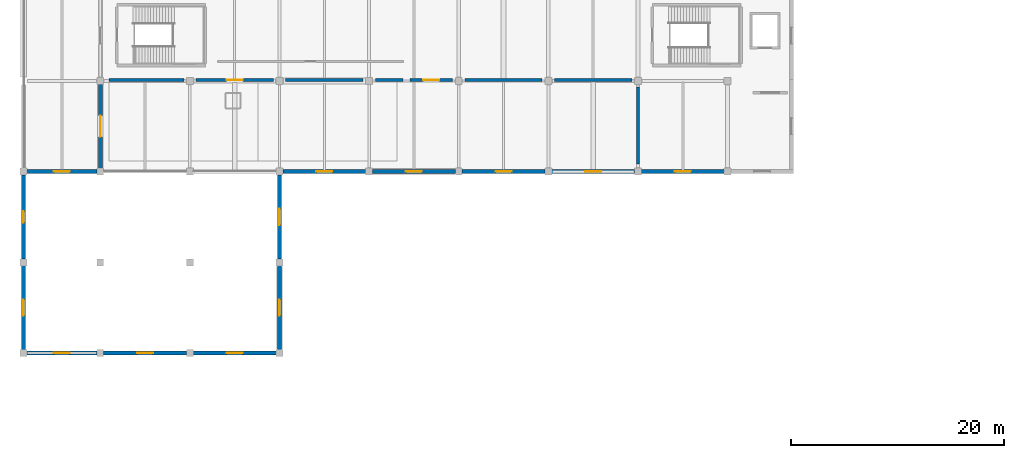
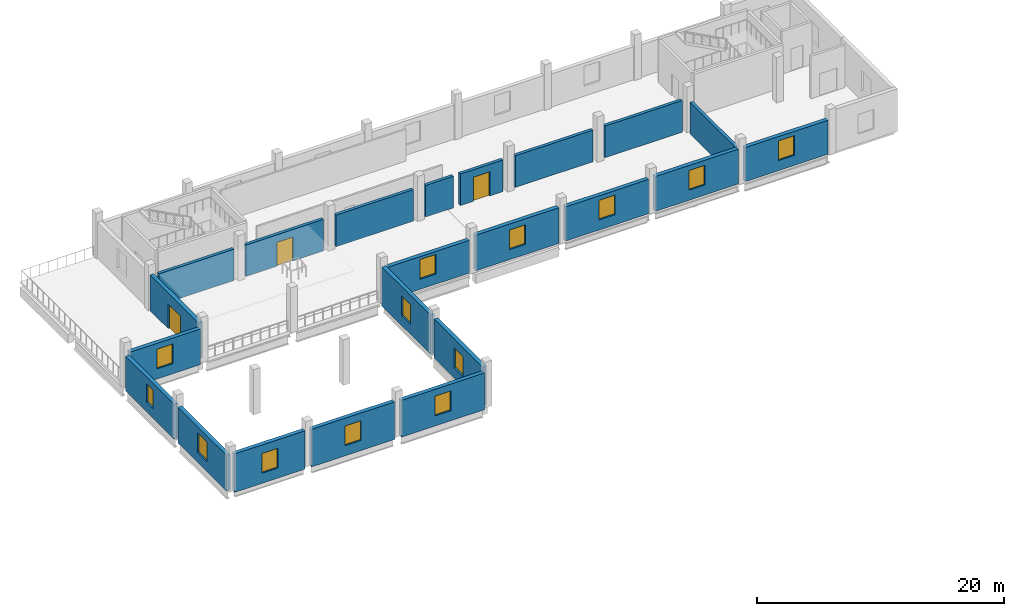
# One storey, part 37 of 50: 22 walls, 13 windows, 3 doors, 16 openings.
"""IFC4 building model written with IfcOpenShell, lengths in metres."""

from ifc_helpers import new_model, si_unit, direction, frame, frame_2d, origin, place, context, subcontext, project, spatial, rectangle, extrude, material, layer, layer_set, type_object, element, fill, save


model = new_model("IFC4")

# Units and contexts
model_context = context("Model", 3, precision=1e-05, world=origin(), true_north=direction((0.0, 1.0)))
body_context = subcontext(model_context, "Body", "Model", "MODEL_VIEW")
ifc_project = project(units=[si_unit("LENGTHUNIT", "METRE"), si_unit("AREAUNIT", "SQUARE_METRE"), si_unit("VOLUMEUNIT", "CUBIC_METRE"), si_unit("PLANEANGLEUNIT", "RADIAN"), si_unit("MASSUNIT", "GRAM", prefix="KILO")], contexts=[model_context])

# Site, building, storey
site_placement = place(None, origin())
site = spatial("IfcSite", under=ifc_project, at=site_placement, CompositionType="ELEMENT")
building_placement = place(site_placement, origin())
building = spatial("IfcBuilding", under=site, at=building_placement, Name="Solvento Point Concert Hall", CompositionType="ELEMENT")
storey_placement = place(building_placement, frame((0.0, 0.0, 15.0)))
storey = spatial("IfcBuildingStorey", under=building, at=storey_placement, Name="L03", CompositionType="ELEMENT", Elevation=15.0)

# Wall
ifc_material_1 = material(Name="Acoustic Double-Stud Gypsum Partition")
ifc_layer_1 = layer(ifc_material_1, 0.284912109375)
ifc_layer_set_1 = layer_set([ifc_layer_1], Name="Acoustic Double-Stud Gypsum Partition")
wall_type_1 = type_object("IfcWallType", Name="AcousticPartition_285", PredefinedType="PARTITIONING", material=ifc_layer_set_1)
wall_1_placement = place(storey_placement, frame((8.02001953125, 127.580078125, 0.0), z_axis=(0.0, 0.0, 1.0), x_axis=(1.0, 0.0, 0.0)))
element("IfcWall", 1, at=wall_1_placement, inside=storey, type_object=wall_type_1, Name="Interior acoustic partition PW-88 L03", PredefinedType="PARTITIONING", context=body_context, shape_type="SweptSolid", body=[
    extrude(rectangle(XDim=7.0048828125, YDim=0.284912109375, at=frame_2d((3.50244140625, 0.0))), origin(), (0.0, 0.0, 1.0), 3.117919921875),
])

# Wall, opening, door
wall_2_placement = place(storey_placement, frame((16.175048828125, 127.580078125, 0.0), z_axis=(0.0, 0.0, 1.0), x_axis=(1.0, 0.0, 0.0)))
wall_2 = element("IfcWall", 2, at=wall_2_placement, inside=storey, type_object=wall_type_1, Name="Interior acoustic partition PW-88 L03", PredefinedType="PARTITIONING", context=body_context, shape_type="SweptSolid", body=[
    extrude(rectangle(XDim=7.25, YDim=0.284912109375, at=frame_2d((3.625, 0.0))), origin(), (0.0, 0.0, 1.0), 3.1298828125),
])
opening_1_placement = place(wall_2_placement, frame((2.864990234375, 0.0, 0.0)))
opening_1 = element("IfcOpeningElement", 3, at=opening_1_placement, cuts=wall_2, Name="Opening DR-87", PredefinedType="OPENING", context=body_context, shape_type="SweptSolid", body=[
    extrude(rectangle(XDim=1.52001953125, YDim=2.3798828125, at=frame_2d((0.760009765625, 1.18994140625))), frame((0.0, 0.15234375, 0.0), z_axis=(0.0, -1.0, 0.0), x_axis=(1.0, 0.0, 0.0)), (0.0, 0.0, 1.0), 0.304931640625),
])
ifc_material_2 = material(Name="Brazilian Hardwood Acoustic Door", Category="wood")
door_type_1 = type_object("IfcDoorType", Name="IntDoor_RecordingSTC58", OperationType="NOTDEFINED", PredefinedType="DOOR", material=ifc_material_2)
door_1_placement = place(opening_1_placement, origin())
door_1 = element("IfcDoor", 4, at=door_1_placement, inside=storey, type_object=door_type_1, Name="Interior door DR-87 L03", OperationType="SINGLE_SWING_RIGHT", OverallHeight=2.3798828125, OverallWidth=1.52001953125, PredefinedType="DOOR", context=body_context, shape_type="SweptSolid", body=[
    extrude(rectangle(XDim=1.52001953125, YDim=2.3798828125, at=frame_2d((0.760009765625, 1.18994140625))), frame((0.0, 0.02490234375, 0.0), z_axis=(0.0, -1.0, 0.0), x_axis=(1.0, 0.0, 0.0)), (0.0, 0.0, 1.0), 0.050048828125),
])
fill(opening_1, door_1)

# Walls
wall_3_placement = place(storey_placement, frame((24.574951171875, 127.580078125, 0.0), z_axis=(0.0, 0.0, 1.0), x_axis=(1.0, 0.0, 0.0)))
element("IfcWall", 5, at=wall_3_placement, inside=storey, type_object=wall_type_1, Name="Interior acoustic partition PW-88 L03", PredefinedType="PARTITIONING", context=body_context, shape_type="SweptSolid", body=[
    extrude(rectangle(XDim=7.25, YDim=0.284912109375, at=frame_2d((3.625, 0.0))), origin(), (0.0, 0.0, 1.0), 3.1298828125),
])
wall_4_placement = place(storey_placement, frame((32.97509765625, 127.580078125, 0.0), z_axis=(0.0, 0.0, 1.0), x_axis=(1.0, 0.0, 0.0)))
element("IfcWall", 6, at=wall_4_placement, inside=storey, type_object=wall_type_1, Name="Interior acoustic partition PW-88 L03", PredefinedType="PARTITIONING", context=body_context, shape_type="SweptSolid", body=[
    extrude(rectangle(XDim=2.60498046875, YDim=0.284912109375, at=frame_2d((1.302490234375, 0.0))), origin(), (0.0, 0.0, 1.0), 3.1298828125),
])

# Wall, opening, door
wall_5_placement = place(storey_placement, frame((36.219970703125, 127.580078125, 0.0), z_axis=(0.0, 0.0, 1.0), x_axis=(1.0, 0.0, 0.0)))
wall_5 = element("IfcWall", 7, at=wall_5_placement, inside=storey, type_object=wall_type_1, Name="Interior acoustic partition PW-88 L03", PredefinedType="PARTITIONING", context=body_context, shape_type="SweptSolid", body=[
    extrude(rectangle(XDim=4.005126953125, YDim=0.284912109375, at=frame_2d((2.00244140625, 0.0))), origin(), (0.0, 0.0, 1.0), 3.1298828125),
])
opening_2_placement = place(wall_5_placement, frame((1.242431640625, 0.0, 0.0)))
opening_2 = element("IfcOpeningElement", 8, at=opening_2_placement, cuts=wall_5, Name="Opening DR-87", PredefinedType="OPENING", context=body_context, shape_type="SweptSolid", body=[
    extrude(rectangle(XDim=1.52001953125, YDim=2.3798828125, at=frame_2d((0.760009765625, 1.18994140625))), frame((0.0, 0.15234375, 0.0), z_axis=(0.0, -1.0, 0.0), x_axis=(1.0, 0.0, 0.0)), (0.0, 0.0, 1.0), 0.304931640625),
])
door_2_placement = place(opening_2_placement, origin())
door_2 = element("IfcDoor", 9, at=door_2_placement, inside=storey, type_object=door_type_1, Name="Interior door DR-87 L03", OperationType="SINGLE_SWING_LEFT", OverallHeight=2.3798828125, OverallWidth=1.52001953125, PredefinedType="DOOR", context=body_context, shape_type="SweptSolid", body=[
    extrude(rectangle(XDim=1.52001953125, YDim=2.3798828125, at=frame_2d((0.760009765625, 1.18994140625))), frame((0.0, 0.02490234375, 0.0), z_axis=(0.0, -1.0, 0.0), x_axis=(1.0, 0.0, 0.0)), (0.0, 0.0, 1.0), 0.050048828125),
])
fill(opening_2, door_2)

# Walls
for number, where, z_axis, x_axis, name in (
    (10, (41.375, 127.580078125, 0.0), (0.0, 0.0, 1.0), (1.0, 0.0, 0.0), "Interior acoustic partition PW-88 L03"),
    (11, (49.77490234375, 127.580078125, 0.0), (0.0, 0.0, 1.0), (1.0, 0.0, 0.0), "Interior acoustic partition PW-88 L03"),
):
    element("IfcWall", number, at=place(storey_placement, frame(where, z_axis=z_axis, x_axis=x_axis)), inside=storey, type_object=wall_type_1, Name=name, PredefinedType="PARTITIONING", context=body_context, shape_type="SweptSolid", body=[
        extrude(rectangle(XDim=7.25, YDim=0.284912109375, at=frame_2d((3.625, 0.0))), origin(), (0.0, 0.0, 1.0), 3.1298828125),
    ])
wall_6_placement = place(storey_placement, frame((57.580078125, 126.925048828125, 0.0), z_axis=(0.0, 0.0, 1.0), x_axis=(0.0, -1.0, 0.0)))
element("IfcWall", 12, at=wall_6_placement, inside=storey, type_object=wall_type_1, Name="Interior acoustic partition PW-88 L03", PredefinedType="PARTITIONING", context=body_context, shape_type="SweptSolid", body=[
    extrude(rectangle(XDim=7.22509765625, YDim=0.284912109375, at=frame_2d((3.612548828125, 0.0))), origin(), (0.0, 0.0, 1.0), 3.117919921875),
])

# Wall, opening, window
ifc_material_3 = material(Name="Concrete C40/50", Category="concrete")
ifc_layer_2 = layer(ifc_material_3, 0.3701171875)
ifc_layer_set_2 = layer_set([ifc_layer_2], Name="Concrete C40/50")
wall_type_2 = type_object("IfcWallType", Name="ExtWall_V4_Reh_370", PredefinedType="SOLIDWALL", material=ifc_layer_set_2)
wall_7_placement = place(storey_placement, frame((0.304931640625, 119.0, -0.2490234375), z_axis=(0.0, 0.0, 1.0), x_axis=(1.0, 0.0, 0.0)))
wall_7 = element("IfcWall", 13, at=wall_7_placement, inside=storey, type_object=wall_type_2, Name="Exterior architectural concrete wall EW-85 L03", PredefinedType="SOLIDWALL", context=body_context, shape_type="SweptSolid", body=[
    extrude(rectangle(XDim=6.590087890625, YDim=0.3701171875, at=frame_2d((3.294921875, 0.0))), origin(), (0.0, 0.0, 1.0), 3.533935546875),
])
opening_3_placement = place(wall_7_placement, frame((2.544921875, 0.0, 1.0)))
opening_3 = element("IfcOpeningElement", 14, at=opening_3_placement, cuts=wall_7, Name="Opening WN-71", PredefinedType="OPENING", context=body_context, shape_type="SweptSolid", body=[
    extrude(rectangle(XDim=1.5, YDim=1.949951171875, at=frame_2d((0.75, 0.97509765625))), frame((0.0, 0.195068359375, 0.0), z_axis=(0.0, -1.0, 0.0), x_axis=(1.0, 0.0, 0.0)), (0.0, 0.0, 1.0), 0.39013671875),
])
ifc_material_4 = material(Name="Hurricane Laminated Low-E Glass", Category="glass")
window_type_1 = type_object("IfcWindowType", Name="Win_V4_Recording_L03", PartitioningType="SINGLE_PANEL", PredefinedType="WINDOW", material=ifc_material_4)
window_1_placement = place(opening_3_placement, origin())
window_1 = element("IfcWindow", 15, at=window_1_placement, inside=storey, type_object=window_type_1, Name="Impact acoustic window WN-71", OverallHeight=1.949951171875, OverallWidth=1.5, PartitioningType="SINGLE_PANEL", PredefinedType="WINDOW", context=body_context, shape_type="SweptSolid", body=[
    extrude(rectangle(XDim=1.5, YDim=1.949951171875, at=frame_2d((0.75, 0.97509765625))), frame((0.0, 0.030029296875, 0.0), z_axis=(0.0, -1.0, 0.0), x_axis=(1.0, 0.0, 0.0)), (0.0, 0.0, 1.0), 0.06005859375),
])
fill(opening_3, window_1)

# Wall, opening, door
wall_8_placement = place(storey_placement, frame((7.199951171875, 119.304931640625, 0.0), z_axis=(0.0, 0.0, 1.0), x_axis=(0.0, 1.0, 0.0)))
wall_8 = element("IfcWall", 16, at=wall_8_placement, inside=storey, type_object=wall_type_2, Name="Exterior architectural concrete wall EW-85 L03", PredefinedType="SOLIDWALL", context=body_context, shape_type="SweptSolid", body=[
    extrude(rectangle(XDim=7.89013671875, YDim=0.3701171875, at=frame_2d((3.945068359375, 0.0))), origin(), (0.0, 0.0, 1.0), 3.535888671875),
])
opening_4_placement = place(wall_8_placement, frame((2.945068359375, 0.0, 0.0)))
opening_4 = element("IfcOpeningElement", 17, at=opening_4_placement, cuts=wall_8, Name="Opening TD-03", PredefinedType="OPENING", context=body_context, shape_type="SweptSolid", body=[
    extrude(rectangle(XDim=2.0, YDim=2.419921875, at=frame_2d((1.0, 1.2099609375))), frame((0.0, 0.195068359375, 0.0), z_axis=(0.0, -1.0, 0.0), x_axis=(1.0, 0.0, 0.0)), (0.0, 0.0, 1.0), 0.39013671875),
])
ifc_material_5 = material(Name="Anodized Bronze Aluminium", Category="aluminium")
door_type_2 = type_object("IfcDoorType", Name="TerraceDoor_TD-03", OperationType="NOTDEFINED", PredefinedType="DOOR", material=ifc_material_5)
door_3_placement = place(opening_4_placement, origin())
door_3 = element("IfcDoor", 18, at=door_3_placement, inside=storey, type_object=door_type_2, Name="Exterior terrace access glazed door TD-03", OperationType="SINGLE_SWING_RIGHT", OverallHeight=2.419921875, OverallWidth=2.0, PredefinedType="DOOR", context=body_context, shape_type="SweptSolid", body=[
    extrude(rectangle(XDim=2.0, YDim=2.419921875, at=frame_2d((1.0, 1.2099609375))), frame((0.0, 0.02490234375, 0.0), z_axis=(0.0, -1.0, 0.0), x_axis=(1.0, 0.0, 0.0)), (0.0, 0.0, 1.0), 0.050048828125),
])
fill(opening_4, door_3)

# Wall, opening, window
wall_9_placement = place(storey_placement, frame((32.094970703125, 119.0, 0.0), z_axis=(0.0, 0.0, 1.0), x_axis=(-1.0, 0.0, 0.0)))
wall_9 = element("IfcWall", 19, at=wall_9_placement, inside=storey, type_object=wall_type_2, Name="Exterior architectural concrete wall EW-85 L03", PredefinedType="SOLIDWALL", context=body_context, shape_type="SweptSolid", body=[
    extrude(rectangle(XDim=7.7900390625, YDim=0.3701171875, at=frame_2d((3.89501953125, 0.0))), origin(), (0.0, 0.0, 1.0), 3.243896484375),
])
opening_5_placement = place(wall_9_placement, frame((3.14501953125, 0.0, 1.0)))
opening_5 = element("IfcOpeningElement", 20, at=opening_5_placement, cuts=wall_9, Name="Opening WN-71", PredefinedType="OPENING", context=body_context, shape_type="SweptSolid", body=[
    extrude(rectangle(XDim=1.5, YDim=1.949951171875, at=frame_2d((0.75, 0.97509765625))), frame((0.0, 0.195068359375, 0.0), z_axis=(0.0, -1.0, 0.0), x_axis=(1.0, 0.0, 0.0)), (0.0, 0.0, 1.0), 0.39013671875),
])
window_2_placement = place(opening_5_placement, origin())
window_2 = element("IfcWindow", 21, at=window_2_placement, inside=storey, type_object=window_type_1, Name="Impact acoustic window WN-71", OverallHeight=1.949951171875, OverallWidth=1.5, PartitioningType="SINGLE_PANEL", PredefinedType="WINDOW", context=body_context, shape_type="SweptSolid", body=[
    extrude(rectangle(XDim=1.5, YDim=1.949951171875, at=frame_2d((0.75, 0.97509765625))), frame((0.0, 0.030029296875, 0.0), z_axis=(0.0, -1.0, 0.0), x_axis=(1.0, 0.0, 0.0)), (0.0, 0.0, 1.0), 0.06005859375),
])
fill(opening_5, window_2)

wall_10_placement = place(storey_placement, frame((40.4951171875, 119.0, 0.0), z_axis=(0.0, 0.0, 1.0), x_axis=(-1.0, 0.0, 0.0)))
wall_10 = element("IfcWall", 22, at=wall_10_placement, inside=storey, type_object=wall_type_2, Name="Exterior architectural concrete wall EW-85 L03", PredefinedType="SOLIDWALL", context=body_context, shape_type="SweptSolid", body=[
    extrude(rectangle(XDim=7.7900390625, YDim=0.3701171875, at=frame_2d((3.89501953125, 0.0))), origin(), (0.0, 0.0, 1.0), 3.535888671875),
])
opening_6_placement = place(wall_10_placement, frame((3.14501953125, 0.0, 1.0)))
opening_6 = element("IfcOpeningElement", 23, at=opening_6_placement, cuts=wall_10, Name="Opening WN-71", PredefinedType="OPENING", context=body_context, shape_type="SweptSolid", body=[
    extrude(rectangle(XDim=1.5, YDim=1.949951171875, at=frame_2d((0.75, 0.97509765625))), frame((0.0, 0.195068359375, 0.0), z_axis=(0.0, -1.0, 0.0), x_axis=(1.0, 0.0, 0.0)), (0.0, 0.0, 1.0), 0.39013671875),
])
window_3_placement = place(opening_6_placement, origin())
window_3 = element("IfcWindow", 24, at=window_3_placement, inside=storey, type_object=window_type_1, Name="Impact acoustic window WN-71", OverallHeight=1.949951171875, OverallWidth=1.5, PartitioningType="SINGLE_PANEL", PredefinedType="WINDOW", context=body_context, shape_type="SweptSolid", body=[
    extrude(rectangle(XDim=1.5, YDim=1.949951171875, at=frame_2d((0.75, 0.97509765625))), frame((0.0, 0.030029296875, 0.0), z_axis=(0.0, -1.0, 0.0), x_axis=(1.0, 0.0, 0.0)), (0.0, 0.0, 1.0), 0.06005859375),
])
fill(opening_6, window_3)

wall_11_placement = place(storey_placement, frame((48.89501953125, 119.0, 0.0), z_axis=(0.0, 0.0, 1.0), x_axis=(-1.0, 0.0, 0.0)))
wall_11 = element("IfcWall", 25, at=wall_11_placement, inside=storey, type_object=wall_type_2, Name="Exterior architectural concrete wall EW-85 L03", PredefinedType="SOLIDWALL", context=body_context, shape_type="SweptSolid", body=[
    extrude(rectangle(XDim=7.7900390625, YDim=0.3701171875, at=frame_2d((3.89501953125, 0.0))), origin(), (0.0, 0.0, 1.0), 3.39404296875),
])
opening_7_placement = place(wall_11_placement, frame((3.14501953125, 0.0, 1.0)))
opening_7 = element("IfcOpeningElement", 26, at=opening_7_placement, cuts=wall_11, Name="Opening WN-71", PredefinedType="OPENING", context=body_context, shape_type="SweptSolid", body=[
    extrude(rectangle(XDim=1.5, YDim=1.949951171875, at=frame_2d((0.75, 0.97509765625))), frame((0.0, 0.195068359375, 0.0), z_axis=(0.0, -1.0, 0.0), x_axis=(1.0, 0.0, 0.0)), (0.0, 0.0, 1.0), 0.39013671875),
])
window_4_placement = place(opening_7_placement, origin())
window_4 = element("IfcWindow", 27, at=window_4_placement, inside=storey, type_object=window_type_1, Name="Impact acoustic window WN-71", OverallHeight=1.949951171875, OverallWidth=1.5, PartitioningType="SINGLE_PANEL", PredefinedType="WINDOW", context=body_context, shape_type="SweptSolid", body=[
    extrude(rectangle(XDim=1.5, YDim=1.949951171875, at=frame_2d((0.75, 0.97509765625))), frame((0.0, 0.030029296875, 0.0), z_axis=(0.0, -1.0, 0.0), x_axis=(1.0, 0.0, 0.0)), (0.0, 0.0, 1.0), 0.06005859375),
])
fill(opening_7, window_4)

wall_12_placement = place(storey_placement, frame((57.294921875, 119.0, 0.0), z_axis=(0.0, 0.0, 1.0), x_axis=(-1.0, 0.0, 0.0)))
wall_12 = element("IfcWall", 28, at=wall_12_placement, inside=storey, type_object=wall_type_2, Name="Exterior architectural concrete wall EW-85 L03", PredefinedType="SOLIDWALL", context=body_context, shape_type="SweptSolid", body=[
    extrude(rectangle(XDim=7.7900390625, YDim=0.3701171875, at=frame_2d((3.89501953125, 0.0))), origin(), (0.0, 0.0, 1.0), 3.450927734375),
])
opening_8_placement = place(wall_12_placement, frame((3.14501953125, 0.0, 1.0)))
opening_8 = element("IfcOpeningElement", 29, at=opening_8_placement, cuts=wall_12, Name="Opening WN-71", PredefinedType="OPENING", context=body_context, shape_type="SweptSolid", body=[
    extrude(rectangle(XDim=1.5, YDim=1.949951171875, at=frame_2d((0.75, 0.97509765625))), frame((0.0, 0.195068359375, 0.0), z_axis=(0.0, -1.0, 0.0), x_axis=(1.0, 0.0, 0.0)), (0.0, 0.0, 1.0), 0.39013671875),
])
window_5_placement = place(opening_8_placement, origin())
window_5 = element("IfcWindow", 30, at=window_5_placement, inside=storey, type_object=window_type_1, Name="Impact acoustic window WN-71", OverallHeight=1.949951171875, OverallWidth=1.5, PartitioningType="SINGLE_PANEL", PredefinedType="WINDOW", context=body_context, shape_type="SweptSolid", body=[
    extrude(rectangle(XDim=1.5, YDim=1.949951171875, at=frame_2d((0.75, 0.97509765625))), frame((0.0, 0.030029296875, 0.0), z_axis=(0.0, -1.0, 0.0), x_axis=(1.0, 0.0, 0.0)), (0.0, 0.0, 1.0), 0.06005859375),
])
fill(opening_8, window_5)

wall_13_placement = place(storey_placement, frame((65.695068359375, 119.0, 0.0), z_axis=(0.0, 0.0, 1.0), x_axis=(-1.0, 0.0, 0.0)))
wall_13 = element("IfcWall", 31, at=wall_13_placement, inside=storey, type_object=wall_type_2, Name="Exterior architectural concrete wall EW-85 L03", PredefinedType="SOLIDWALL", context=body_context, shape_type="SweptSolid", body=[
    extrude(rectangle(XDim=7.7900390625, YDim=0.3701171875, at=frame_2d((3.89501953125, 0.0))), origin(), (0.0, 0.0, 1.0), 3.3740234375),
])
opening_9_placement = place(wall_13_placement, frame((3.14501953125, 0.0, 1.0)))
opening_9 = element("IfcOpeningElement", 32, at=opening_9_placement, cuts=wall_13, Name="Opening WN-71", PredefinedType="OPENING", context=body_context, shape_type="SweptSolid", body=[
    extrude(rectangle(XDim=1.5, YDim=1.949951171875, at=frame_2d((0.75, 0.97509765625))), frame((0.0, 0.195068359375, 0.0), z_axis=(0.0, -1.0, 0.0), x_axis=(1.0, 0.0, 0.0)), (0.0, 0.0, 1.0), 0.39013671875),
])
window_6_placement = place(opening_9_placement, origin())
window_6 = element("IfcWindow", 33, at=window_6_placement, inside=storey, type_object=window_type_1, Name="Impact acoustic window WN-71", OverallHeight=1.949951171875, OverallWidth=1.5, PartitioningType="SINGLE_PANEL", PredefinedType="WINDOW", context=body_context, shape_type="SweptSolid", body=[
    extrude(rectangle(XDim=1.5, YDim=1.949951171875, at=frame_2d((0.75, 0.97509765625))), frame((0.0, 0.030029296875, 0.0), z_axis=(0.0, -1.0, 0.0), x_axis=(1.0, 0.0, 0.0)), (0.0, 0.0, 1.0), 0.06005859375),
])
fill(opening_9, window_6)

wall_14_placement = place(storey_placement, frame((24.0, 110.195068359375, -0.27294921875), z_axis=(0.0, 0.0, 1.0), x_axis=(0.0, -1.0, 0.0)))
wall_14 = element("IfcWall", 34, at=wall_14_placement, inside=storey, type_object=wall_type_2, Name="Exterior architectural concrete wall EW-85 L03", PredefinedType="SOLIDWALL", context=body_context, shape_type="SweptSolid", body=[
    extrude(rectangle(XDim=7.89013671875, YDim=0.3701171875, at=frame_2d((3.945068359375, 0.0))), origin(), (0.0, 0.0, 1.0), 3.85888671875),
])
opening_10_placement = place(wall_14_placement, frame((3.195068359375, 0.0, 1.0)))
opening_10 = element("IfcOpeningElement", 35, at=opening_10_placement, cuts=wall_14, Name="Opening WN-71", PredefinedType="OPENING", context=body_context, shape_type="SweptSolid", body=[
    extrude(rectangle(XDim=1.5, YDim=1.949951171875, at=frame_2d((0.75, 0.97509765625))), frame((0.0, 0.195068359375, 0.0), z_axis=(0.0, -1.0, 0.0), x_axis=(1.0, 0.0, 0.0)), (0.0, 0.0, 1.0), 0.39013671875),
])
window_7_placement = place(opening_10_placement, origin())
window_7 = element("IfcWindow", 36, at=window_7_placement, inside=storey, type_object=window_type_1, Name="Impact acoustic window WN-71", OverallHeight=1.949951171875, OverallWidth=1.5, PartitioningType="SINGLE_PANEL", PredefinedType="WINDOW", context=body_context, shape_type="SweptSolid", body=[
    extrude(rectangle(XDim=1.5, YDim=1.949951171875, at=frame_2d((0.75, 0.97509765625))), frame((0.0, 0.030029296875, 0.0), z_axis=(0.0, -1.0, 0.0), x_axis=(1.0, 0.0, 0.0)), (0.0, 0.0, 1.0), 0.06005859375),
])
fill(opening_10, window_7)

wall_15_placement = place(storey_placement, frame((24.0, 118.695068359375, -0.27294921875), z_axis=(0.0, 0.0, 1.0), x_axis=(0.0, -1.0, 0.0)))
wall_15 = element("IfcWall", 37, at=wall_15_placement, inside=storey, type_object=wall_type_2, Name="Exterior architectural concrete wall EW-85 L03", PredefinedType="SOLIDWALL", context=body_context, shape_type="SweptSolid", body=[
    extrude(rectangle(XDim=7.89013671875, YDim=0.3701171875, at=frame_2d((3.945068359375, 0.0))), origin(), (0.0, 0.0, 1.0), 3.867919921875),
])
opening_11_placement = place(wall_15_placement, frame((3.195068359375, 0.0, 1.0)))
opening_11 = element("IfcOpeningElement", 38, at=opening_11_placement, cuts=wall_15, Name="Opening WN-71", PredefinedType="OPENING", context=body_context, shape_type="SweptSolid", body=[
    extrude(rectangle(XDim=1.5, YDim=1.949951171875, at=frame_2d((0.75, 0.97509765625))), frame((0.0, 0.195068359375, 0.0), z_axis=(0.0, -1.0, 0.0), x_axis=(1.0, 0.0, 0.0)), (0.0, 0.0, 1.0), 0.39013671875),
])
window_8_placement = place(opening_11_placement, origin())
window_8 = element("IfcWindow", 39, at=window_8_placement, inside=storey, type_object=window_type_1, Name="Impact acoustic window WN-71", OverallHeight=1.949951171875, OverallWidth=1.5, PartitioningType="SINGLE_PANEL", PredefinedType="WINDOW", context=body_context, shape_type="SweptSolid", body=[
    extrude(rectangle(XDim=1.5, YDim=1.949951171875, at=frame_2d((0.75, 0.97509765625))), frame((0.0, 0.030029296875, 0.0), z_axis=(0.0, -1.0, 0.0), x_axis=(1.0, 0.0, 0.0)), (0.0, 0.0, 1.0), 0.06005859375),
])
fill(opening_11, window_8)

wall_16_placement = place(storey_placement, frame((6.89501953125, 102.0, -0.27294921875), z_axis=(0.0, 0.0, 1.0), x_axis=(-1.0, 0.0, 0.0)))
wall_16 = element("IfcWall", 40, at=wall_16_placement, inside=storey, type_object=wall_type_2, Name="Exterior architectural concrete wall EW-85 L03", PredefinedType="SOLIDWALL", context=body_context, shape_type="SweptSolid", body=[
    extrude(rectangle(XDim=6.590087890625, YDim=0.3701171875, at=frame_2d((3.294921875, 0.0))), origin(), (0.0, 0.0, 1.0), 3.798828125),
])
opening_12_placement = place(wall_16_placement, frame((2.544921875, 0.0, 1.0)))
opening_12 = element("IfcOpeningElement", 41, at=opening_12_placement, cuts=wall_16, Name="Opening WN-71", PredefinedType="OPENING", context=body_context, shape_type="SweptSolid", body=[
    extrude(rectangle(XDim=1.5, YDim=1.949951171875, at=frame_2d((0.75, 0.97509765625))), frame((0.0, 0.195068359375, 0.0), z_axis=(0.0, -1.0, 0.0), x_axis=(1.0, 0.0, 0.0)), (0.0, 0.0, 1.0), 0.39013671875),
])
window_9_placement = place(opening_12_placement, origin())
window_9 = element("IfcWindow", 42, at=window_9_placement, inside=storey, type_object=window_type_1, Name="Impact acoustic window WN-71", OverallHeight=1.949951171875, OverallWidth=1.5, PartitioningType="SINGLE_PANEL", PredefinedType="WINDOW", context=body_context, shape_type="SweptSolid", body=[
    extrude(rectangle(XDim=1.5, YDim=1.949951171875, at=frame_2d((0.75, 0.97509765625))), frame((0.0, 0.030029296875, 0.0), z_axis=(0.0, -1.0, 0.0), x_axis=(1.0, 0.0, 0.0)), (0.0, 0.0, 1.0), 0.06005859375),
])
fill(opening_12, window_9)

wall_17_placement = place(storey_placement, frame((15.294921875, 102.0, -0.27294921875), z_axis=(0.0, 0.0, 1.0), x_axis=(-1.0, 0.0, 0.0)))
wall_17 = element("IfcWall", 43, at=wall_17_placement, inside=storey, type_object=wall_type_2, Name="Exterior architectural concrete wall EW-85 L03", PredefinedType="SOLIDWALL", context=body_context, shape_type="SweptSolid", body=[
    extrude(rectangle(XDim=7.7900390625, YDim=0.3701171875, at=frame_2d((3.89501953125, 0.0))), origin(), (0.0, 0.0, 1.0), 3.721923828125),
])
opening_13_placement = place(wall_17_placement, frame((3.14501953125, 0.0, 1.0)))
opening_13 = element("IfcOpeningElement", 44, at=opening_13_placement, cuts=wall_17, Name="Opening WN-71", PredefinedType="OPENING", context=body_context, shape_type="SweptSolid", body=[
    extrude(rectangle(XDim=1.5, YDim=1.949951171875, at=frame_2d((0.75, 0.97509765625))), frame((0.0, 0.195068359375, 0.0), z_axis=(0.0, -1.0, 0.0), x_axis=(1.0, 0.0, 0.0)), (0.0, 0.0, 1.0), 0.39013671875),
])
window_10_placement = place(opening_13_placement, origin())
window_10 = element("IfcWindow", 45, at=window_10_placement, inside=storey, type_object=window_type_1, Name="Impact acoustic window WN-71", OverallHeight=1.949951171875, OverallWidth=1.5, PartitioningType="SINGLE_PANEL", PredefinedType="WINDOW", context=body_context, shape_type="SweptSolid", body=[
    extrude(rectangle(XDim=1.5, YDim=1.949951171875, at=frame_2d((0.75, 0.97509765625))), frame((0.0, 0.030029296875, 0.0), z_axis=(0.0, -1.0, 0.0), x_axis=(1.0, 0.0, 0.0)), (0.0, 0.0, 1.0), 0.06005859375),
])
fill(opening_13, window_10)

wall_18_placement = place(storey_placement, frame((23.695068359375, 102.0, -0.27294921875), z_axis=(0.0, 0.0, 1.0), x_axis=(-1.0, 0.0, 0.0)))
wall_18 = element("IfcWall", 46, at=wall_18_placement, inside=storey, type_object=wall_type_2, Name="Exterior architectural concrete wall EW-85 L03", PredefinedType="SOLIDWALL", context=body_context, shape_type="SweptSolid", body=[
    extrude(rectangle(XDim=7.7900390625, YDim=0.3701171875, at=frame_2d((3.89501953125, 0.0))), origin(), (0.0, 0.0, 1.0), 3.633056640625),
])
opening_14_placement = place(wall_18_placement, frame((3.14501953125, 0.0, 1.0)))
opening_14 = element("IfcOpeningElement", 47, at=opening_14_placement, cuts=wall_18, Name="Opening WN-71", PredefinedType="OPENING", context=body_context, shape_type="SweptSolid", body=[
    extrude(rectangle(XDim=1.5, YDim=1.949951171875, at=frame_2d((0.75, 0.97509765625))), frame((0.0, 0.195068359375, 0.0), z_axis=(0.0, -1.0, 0.0), x_axis=(1.0, 0.0, 0.0)), (0.0, 0.0, 1.0), 0.39013671875),
])
window_11_placement = place(opening_14_placement, origin())
window_11 = element("IfcWindow", 48, at=window_11_placement, inside=storey, type_object=window_type_1, Name="Impact acoustic window WN-71", OverallHeight=1.949951171875, OverallWidth=1.5, PartitioningType="SINGLE_PANEL", PredefinedType="WINDOW", context=body_context, shape_type="SweptSolid", body=[
    extrude(rectangle(XDim=1.5, YDim=1.949951171875, at=frame_2d((0.75, 0.97509765625))), frame((0.0, 0.030029296875, 0.0), z_axis=(0.0, -1.0, 0.0), x_axis=(1.0, 0.0, 0.0)), (0.0, 0.0, 1.0), 0.06005859375),
])
fill(opening_14, window_11)

wall_19_placement = place(storey_placement, frame((0.0, 102.304931640625, -0.27294921875), z_axis=(0.0, 0.0, 1.0), x_axis=(0.0, 1.0, 0.0)))
wall_19 = element("IfcWall", 49, at=wall_19_placement, inside=storey, type_object=wall_type_2, Name="Exterior architectural concrete wall EW-85 L03", PredefinedType="SOLIDWALL", context=body_context, shape_type="SweptSolid", body=[
    extrude(rectangle(XDim=7.89013671875, YDim=0.3701171875, at=frame_2d((3.945068359375, 0.0))), origin(), (0.0, 0.0, 1.0), 3.5400390625),
])
opening_15_placement = place(wall_19_placement, frame((3.195068359375, 0.0, 1.0)))
opening_15 = element("IfcOpeningElement", 50, at=opening_15_placement, cuts=wall_19, Name="Opening WN-71", PredefinedType="OPENING", context=body_context, shape_type="SweptSolid", body=[
    extrude(rectangle(XDim=1.5, YDim=1.949951171875, at=frame_2d((0.75, 0.97509765625))), frame((0.0, 0.195068359375, 0.0), z_axis=(0.0, -1.0, 0.0), x_axis=(1.0, 0.0, 0.0)), (0.0, 0.0, 1.0), 0.39013671875),
])
window_12_placement = place(opening_15_placement, origin())
window_12 = element("IfcWindow", 51, at=window_12_placement, inside=storey, type_object=window_type_1, Name="Impact acoustic window WN-71", OverallHeight=1.949951171875, OverallWidth=1.5, PartitioningType="SINGLE_PANEL", PredefinedType="WINDOW", context=body_context, shape_type="SweptSolid", body=[
    extrude(rectangle(XDim=1.5, YDim=1.949951171875, at=frame_2d((0.75, 0.97509765625))), frame((0.0, 0.030029296875, 0.0), z_axis=(0.0, -1.0, 0.0), x_axis=(1.0, 0.0, 0.0)), (0.0, 0.0, 1.0), 0.06005859375),
])
fill(opening_15, window_12)

wall_20_placement = place(storey_placement, frame((0.0, 110.804931640625, -0.27294921875), z_axis=(0.0, 0.0, 1.0), x_axis=(0.0, 1.0, 0.0)))
wall_20 = element("IfcWall", 52, at=wall_20_placement, inside=storey, type_object=wall_type_2, Name="Exterior architectural concrete wall EW-85 L03", PredefinedType="SOLIDWALL", context=body_context, shape_type="SweptSolid", body=[
    extrude(rectangle(XDim=7.89013671875, YDim=0.3701171875, at=frame_2d((3.945068359375, 0.0))), origin(), (0.0, 0.0, 1.0), 3.44091796875),
])
opening_16_placement = place(wall_20_placement, frame((3.419921875, 0.0, 0.949951171875)))
opening_16 = element("IfcOpeningElement", 53, at=opening_16_placement, cuts=wall_20, Name="Opening WN-89", PredefinedType="OPENING", context=body_context, shape_type="SweptSolid", body=[
    extrude(rectangle(XDim=1.050048828125, YDim=1.800048828125, at=frame_2d((0.52490234375, 0.89990234375))), frame((0.0, 0.195068359375, 0.0), z_axis=(0.0, -1.0, 0.0), x_axis=(1.0, 0.0, 0.0)), (0.0, 0.0, 1.0), 0.39013671875),
])
ifc_material_6 = material(Name="Hurricane Laminated Low-E Glass", Category="glass")
window_type_2 = type_object("IfcWindowType", Name="Win_NarrowPier_1050", PartitioningType="SINGLE_PANEL", PredefinedType="WINDOW", material=ifc_material_6)
window_13_placement = place(opening_16_placement, origin())
window_13 = element("IfcWindow", 54, at=window_13_placement, inside=storey, type_object=window_type_2, Name="Impact acoustic window WN-89", OverallHeight=1.800048828125, OverallWidth=1.050048828125, PartitioningType="SINGLE_PANEL", PredefinedType="WINDOW", context=body_context, shape_type="SweptSolid", body=[
    extrude(rectangle(XDim=1.050048828125, YDim=1.800048828125, at=frame_2d((0.52490234375, 0.89990234375))), frame((0.0, 0.030029296875, 0.0), z_axis=(0.0, -1.0, 0.0), x_axis=(1.0, 0.0, 0.0)), (0.0, 0.0, 1.0), 0.06005859375),
])
fill(opening_16, window_13)

save(model, "model.ifc")
